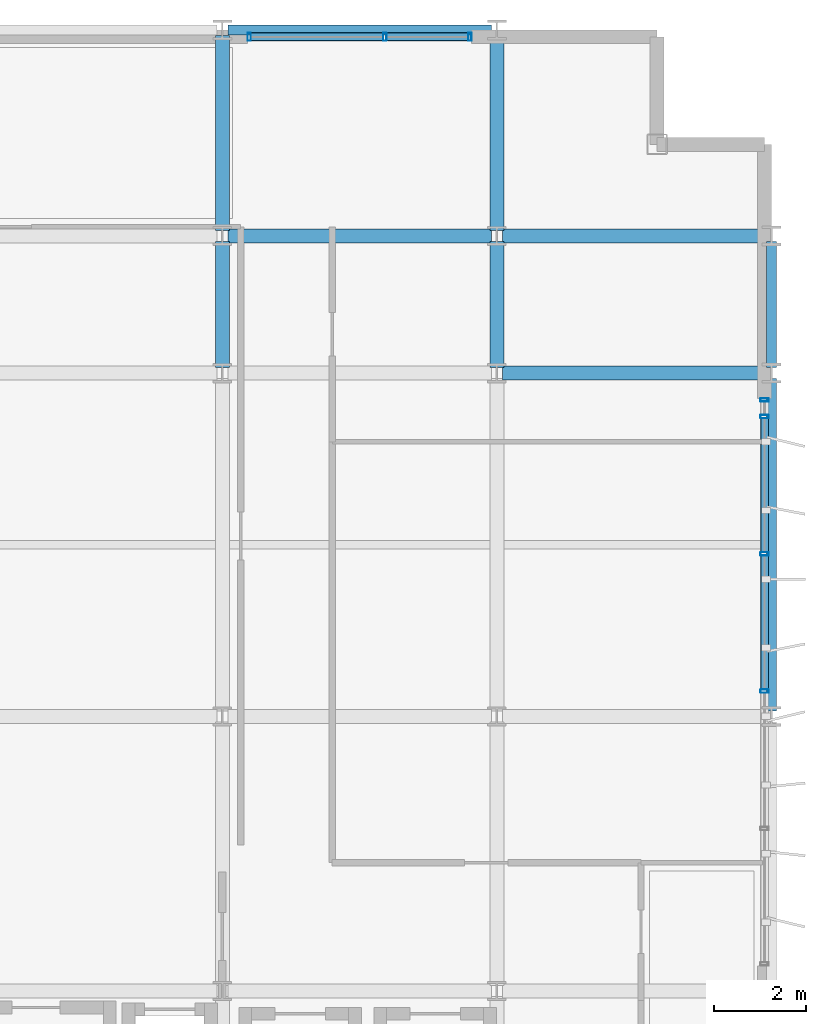
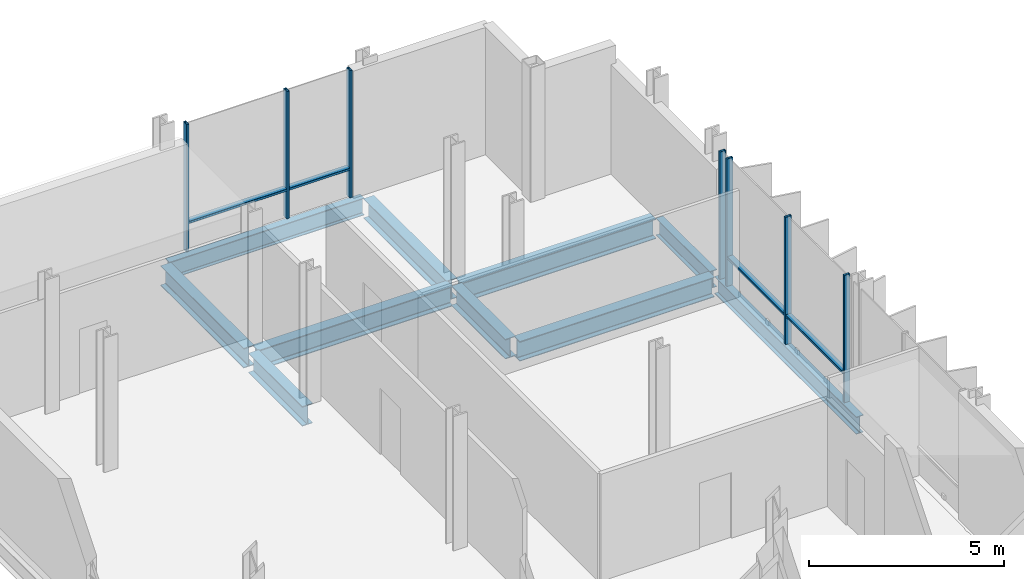
# One storey, part 19 of 32: 11 members, 10 beams, 2 elements without a shape of their own.
"""IFC4 building model written with IfcOpenShell, lengths in metres."""

from ifc_helpers import new_model, si_unit, direction, frame, origin, origin_2d, place, context, subcontext, project, spatial, hollow_rectangle, i_section, extrude, material, layer, layer_set, material_profile, profile_set, type_object, element, aggregate, save


model = new_model("IFC4")

# Units and contexts
model_context = context("Model", 3, precision=1e-05, world=origin(), true_north=direction((0.0, 1.0)))
body_context = subcontext(model_context, "Body", "Model", "MODEL_VIEW")
ifc_project = project(units=[si_unit("LENGTHUNIT", "METRE"), si_unit("AREAUNIT", "SQUARE_METRE"), si_unit("VOLUMEUNIT", "CUBIC_METRE"), si_unit("PLANEANGLEUNIT", "RADIAN"), si_unit("MASSUNIT", "GRAM", prefix="KILO")], contexts=[model_context])

# Site, building, storey
site_placement = place(None, origin())
site = spatial("IfcSite", under=ifc_project, at=site_placement, CompositionType="ELEMENT")
building_placement = place(site_placement, origin())
building = spatial("IfcBuilding", under=site, at=building_placement, Name="Brevholm Reach", CompositionType="ELEMENT")
storey_placement = place(building_placement, frame((0.0, 0.0, 134.5)))
storey = spatial("IfcBuildingStorey", under=building, at=storey_placement, Name="L40", CompositionType="ELEMENT", Elevation=134.5)

# Beams
ifc_material_1 = material(Name="Structural Steel S355J2", Category="steel")
ifc_material_profile_1 = material_profile(ifc_material_1, i_section(OverallWidth=0.210693359375, OverallDepth=0.53955078125, WebThickness=0.01171875, FlangeThickness=0.018798828125, FilletRadius=0.0126953125, at=origin_2d()), Name="UKB 533x210x109")
ifc_profile_set_1 = profile_set([ifc_material_profile_1], Name="Structural Steel S355J2")
beam_type_1 = type_object("IfcBeamType", Name="BM-SP539", PredefinedType="SPANDREL", material=ifc_profile_set_1)
beam_1_placement = place(storey_placement, frame((48.1201171875, 31.0, -0.519775390625), z_axis=(1.0, 0.0, 0.0), x_axis=(0.0, 1.0, 0.0)))
element("IfcBeam", 1, at=beam_1_placement, inside=storey, type_object=beam_type_1, Name="L40 SP-01B Framing Beam", PredefinedType="SPANDREL", context=body_context, shape_type="SweptSolid", body=[
    extrude(i_section(OverallWidth=0.210693359375, OverallDepth=0.53955078125, WebThickness=0.01171875, FlangeThickness=0.018798828125, FilletRadius=0.0126953125, at=origin_2d()), origin(), (0.0, 0.0, 1.0), 5.759765625),
])
beam_2_placement = place(storey_placement, frame((60.0, 16.1201171875, -0.519775390625), z_axis=(0.0, 1.0, 0.0), x_axis=(-1.0, 0.0, 0.0)))
element("IfcBeam", 2, at=beam_2_placement, inside=storey, type_object=beam_type_1, Name="L40 SP-01B Framing Beam", PredefinedType="SPANDREL", context=body_context, shape_type="SweptSolid", body=[
    extrude(i_section(OverallWidth=0.210693359375, OverallDepth=0.53955078125, WebThickness=0.01171875, FlangeThickness=0.018798828125, FilletRadius=0.0126953125, at=origin_2d()), origin(), (0.0, 0.0, 1.0), 7.259765625),
])
beam_3_placement = place(storey_placement, frame((60.0, 23.6201171875, -0.519775390625), z_axis=(0.0, 1.0, 0.0), x_axis=(-1.0, 0.0, 0.0)))
element("IfcBeam", 3, at=beam_3_placement, inside=storey, type_object=beam_type_1, Name="L40 SP-01B Framing Beam", PredefinedType="SPANDREL", context=body_context, shape_type="SweptSolid", body=[
    extrude(i_section(OverallWidth=0.210693359375, OverallDepth=0.53955078125, WebThickness=0.01171875, FlangeThickness=0.018798828125, FilletRadius=0.0126953125, at=origin_2d()), origin(), (0.0, 0.0, 1.0), 2.759765625),
])
ifc_material_2 = material(Name="Structural Steel S355J2", Category="steel")
ifc_material_profile_2 = material_profile(ifc_material_2, i_section(OverallWidth=0.30712890625, OverallDepth=0.6201171875, WebThickness=0.01416015625, FlangeThickness=0.023681640625, FilletRadius=0.0166015625, at=origin_2d()), Name="UKB 610x305x179")
ifc_profile_set_2 = profile_set([ifc_material_profile_2], Name="Structural Steel S355J2")
beam_type_2 = type_object("IfcBeamType", Name="BM-UKB610H", PredefinedType="USERDEFINED", material=ifc_profile_set_2)
for number, where, z_axis, x_axis, name in (
    (4, (54.1201171875, 23.5, -0.56005859375), (1.0, 0.0, 0.0), (0.0, 1.0, 0.0), "L40 G-06 Framing Beam"),
    (5, (48.1201171875, 26.5, -0.56005859375), (1.0, 0.0, 0.0), (0.0, 1.0, 0.0), "L40 G-06 Framing Beam"),
    (6, (54.1201171875, 26.5, -0.56005859375), (1.0, 0.0, 0.0), (0.0, 1.0, 0.0), "L40 G-06 Framing Beam"),
):
    element("IfcBeam", number, at=place(storey_placement, frame(where, z_axis=z_axis, x_axis=x_axis)), inside=storey, type_object=beam_type_2, Name=name, ObjectType="GIRDER", PredefinedType="USERDEFINED", context=body_context, shape_type="SweptSolid", body=[
        extrude(i_section(OverallWidth=0.30712890625, OverallDepth=0.6201171875, WebThickness=0.01416015625, FlangeThickness=0.023681640625, FilletRadius=0.0166015625, at=origin_2d()), origin(), (0.0, 0.0, 1.0), 5.759765625),
    ])
beam_4_placement = place(storey_placement, frame((48.0, 23.6201171875, -0.56005859375), z_axis=(0.0, 1.0, 0.0), x_axis=(-1.0, 0.0, 0.0)))
element("IfcBeam", 7, at=beam_4_placement, inside=storey, type_object=beam_type_2, Name="L40 G-06 Framing Beam", ObjectType="GIRDER", PredefinedType="USERDEFINED", context=body_context, shape_type="SweptSolid", body=[
    extrude(i_section(OverallWidth=0.30712890625, OverallDepth=0.6201171875, WebThickness=0.01416015625, FlangeThickness=0.023681640625, FilletRadius=0.0166015625, at=origin_2d()), origin(), (0.0, 0.0, 1.0), 2.759765625),
])
beam_5_placement = place(storey_placement, frame((48.0, 26.6201171875, -0.56005859375), z_axis=(0.0, 1.0, 0.0), x_axis=(-1.0, 0.0, 0.0)))
element("IfcBeam", 8, at=beam_5_placement, inside=storey, type_object=beam_type_2, Name="L40 G-06 Framing Beam", ObjectType="GIRDER", PredefinedType="USERDEFINED", context=body_context, shape_type="SweptSolid", body=[
    extrude(i_section(OverallWidth=0.30712890625, OverallDepth=0.6201171875, WebThickness=0.01416015625, FlangeThickness=0.023681640625, FilletRadius=0.0166015625, at=origin_2d()), origin(), (0.0, 0.0, 1.0), 4.259765625),
])
beam_6_placement = place(storey_placement, frame((54.0, 23.6201171875, -0.56005859375), z_axis=(0.0, 1.0, 0.0), x_axis=(-1.0, 0.0, 0.0)))
element("IfcBeam", 9, at=beam_6_placement, inside=storey, type_object=beam_type_2, Name="L40 G-06 Framing Beam", ObjectType="GIRDER", PredefinedType="USERDEFINED", context=body_context, shape_type="SweptSolid", body=[
    extrude(i_section(OverallWidth=0.30712890625, OverallDepth=0.6201171875, WebThickness=0.01416015625, FlangeThickness=0.023681640625, FilletRadius=0.0166015625, at=origin_2d()), origin(), (0.0, 0.0, 1.0), 2.759765625),
])
beam_7_placement = place(storey_placement, frame((54.0, 26.6201171875, -0.56005859375), z_axis=(0.0, 1.0, 0.0), x_axis=(-1.0, 0.0, 0.0)))
element("IfcBeam", 10, at=beam_7_placement, inside=storey, type_object=beam_type_2, Name="L40 G-06 Framing Beam", ObjectType="GIRDER", PredefinedType="USERDEFINED", context=body_context, shape_type="SweptSolid", body=[
    extrude(i_section(OverallWidth=0.30712890625, OverallDepth=0.6201171875, WebThickness=0.01416015625, FlangeThickness=0.023681640625, FilletRadius=0.0166015625, at=origin_2d()), origin(), (0.0, 0.0, 1.0), 4.259765625),
])

# Curtain wall, members
ifc_material_3 = material(Name="Dark Anodised Aluminium 6063-T6 and Solar-Control Glass", Category="aluminium")
ifc_layer = layer(ifc_material_3, 0.179931640625)
ifc_layer_set = layer_set([ifc_layer], Name="Dark Anodised Aluminium 6063-T6 and Solar-Control Glass")
curtain_wall_type = type_object("IfcCurtainWallType", Name="CW-05", PredefinedType="NOTDEFINED", material=ifc_layer_set)
curtain_wall_1_placement = place(storey_placement, origin())
curtain_wall_1 = element("IfcCurtainWall", 11, at=curtain_wall_1_placement, inside=storey, type_object=curtain_wall_type, Name="L40 Curtain Wall CW-05", PredefinedType="NOTDEFINED")
ifc_material_4 = material(Name="Dark Anodised Aluminium 6063-T6", Category="aluminium")
ifc_material_profile_3 = material_profile(ifc_material_4, hollow_rectangle(XDim=0.074951171875, YDim=0.179931640625, WallThickness=0.006103515625, InnerFilletRadius=0.006103515625, OuterFilletRadius=0.011962890625, at=origin_2d()), Name="RHS 180x75x6")
ifc_profile_set_3 = profile_set([ifc_material_profile_3], Name="Dark Anodised Aluminium 6063-T6")
member_type_1 = type_object("IfcMemberType", Name="CWM-180", PredefinedType="MULLION", material=ifc_profile_set_3)
member_1_placement = place(storey_placement, frame((59.85009765625, 16.550048828125, 0.0), z_axis=(0.0, 0.0, 1.0), x_axis=(0.0, 1.0, 0.0)))
member_1 = element("IfcMember", 12, at=member_1_placement, type_object=member_type_1, Name="CM-180 Mullion 3", PredefinedType="MULLION", context=body_context, shape_type="SweptSolid", body=[
    extrude(hollow_rectangle(XDim=0.074951171875, YDim=0.179931640625, WallThickness=0.006103515625, InnerFilletRadius=0.006103515625, OuterFilletRadius=0.011962890625, at=origin_2d()), origin(), (0.0, 0.0, 1.0), 3.97998046875),
])
member_2_placement = place(storey_placement, frame((59.85009765625, 19.550048828125, 0.0), z_axis=(0.0, 0.0, 1.0), x_axis=(0.0, 1.0, 0.0)))
member_2 = element("IfcMember", 13, at=member_2_placement, type_object=member_type_1, Name="CM-180 Mullion 4", PredefinedType="MULLION", context=body_context, shape_type="SweptSolid", body=[
    extrude(hollow_rectangle(XDim=0.074951171875, YDim=0.179931640625, WallThickness=0.006103515625, InnerFilletRadius=0.006103515625, OuterFilletRadius=0.011962890625, at=origin_2d()), origin(), (0.0, 0.0, 1.0), 3.97998046875),
])
member_3_placement = place(storey_placement, frame((59.85009765625, 22.550048828125, 0.0), z_axis=(0.0, 0.0, 1.0), x_axis=(0.0, 1.0, 0.0)))
member_3 = element("IfcMember", 14, at=member_3_placement, type_object=member_type_1, Name="CM-180 Mullion 5", PredefinedType="MULLION", context=body_context, shape_type="SweptSolid", body=[
    extrude(hollow_rectangle(XDim=0.074951171875, YDim=0.179931640625, WallThickness=0.006103515625, InnerFilletRadius=0.006103515625, OuterFilletRadius=0.011962890625, at=origin_2d()), origin(), (0.0, 0.0, 1.0), 3.97998046875),
])
member_4_placement = place(storey_placement, frame((59.85009765625, 22.91259765625, 0.0), z_axis=(0.0, 0.0, 1.0), x_axis=(0.0, 1.0, 0.0)))
member_4 = element("IfcMember", 15, at=member_4_placement, type_object=member_type_1, Name="CM-180 Mullion 6", PredefinedType="MULLION", context=body_context, shape_type="SweptSolid", body=[
    extrude(hollow_rectangle(XDim=0.074951171875, YDim=0.179931640625, WallThickness=0.006103515625, InnerFilletRadius=0.006103515625, OuterFilletRadius=0.011962890625, at=origin_2d()), origin(), (0.0, 0.0, 1.0), 3.97998046875),
])

curtain_wall_2_placement = place(storey_placement, origin())
curtain_wall_2 = element("IfcCurtainWall", 16, at=curtain_wall_2_placement, inside=storey, type_object=curtain_wall_type, Name="L40 Curtain Wall CW-05", PredefinedType="NOTDEFINED")
member_5_placement = place(storey_placement, frame((48.58740234375, 30.85009765625, 0.0), z_axis=(0.0, 0.0, 1.0), x_axis=(1.0, 0.0, 0.0)))
member_5 = element("IfcMember", 17, at=member_5_placement, type_object=member_type_1, Name="CM-180 Mullion 1", PredefinedType="MULLION", context=body_context, shape_type="SweptSolid", body=[
    extrude(hollow_rectangle(XDim=0.074951171875, YDim=0.179931640625, WallThickness=0.006103515625, InnerFilletRadius=0.006103515625, OuterFilletRadius=0.011962890625, at=origin_2d()), origin(), (0.0, 0.0, 1.0), 3.97998046875),
])
member_6_placement = place(storey_placement, frame((51.550048828125, 30.85009765625, 0.0), z_axis=(0.0, 0.0, 1.0), x_axis=(1.0, 0.0, 0.0)))
member_6 = element("IfcMember", 18, at=member_6_placement, type_object=member_type_1, Name="CM-180 Mullion 2", PredefinedType="MULLION", context=body_context, shape_type="SweptSolid", body=[
    extrude(hollow_rectangle(XDim=0.074951171875, YDim=0.179931640625, WallThickness=0.006103515625, InnerFilletRadius=0.006103515625, OuterFilletRadius=0.011962890625, at=origin_2d()), origin(), (0.0, 0.0, 1.0), 3.97998046875),
])
member_7_placement = place(storey_placement, frame((53.41259765625, 30.85009765625, 0.0), z_axis=(0.0, 0.0, 1.0), x_axis=(1.0, 0.0, 0.0)))
member_7 = element("IfcMember", 19, at=member_7_placement, type_object=member_type_1, Name="CM-180 Mullion 3", PredefinedType="MULLION", context=body_context, shape_type="SweptSolid", body=[
    extrude(hollow_rectangle(XDim=0.074951171875, YDim=0.179931640625, WallThickness=0.006103515625, InnerFilletRadius=0.006103515625, OuterFilletRadius=0.011962890625, at=origin_2d()), origin(), (0.0, 0.0, 1.0), 3.97998046875),
])

# Member
ifc_material_5 = material(Name="Dark Anodised Aluminium 6063-T6", Category="aluminium")
ifc_material_profile_4 = material_profile(ifc_material_5, hollow_rectangle(XDim=0.074951171875, YDim=0.179931640625, WallThickness=0.006103515625, InnerFilletRadius=0.006103515625, OuterFilletRadius=0.011962890625, at=origin_2d()), Name="RHS 180x75x6")
ifc_profile_set_4 = profile_set([ifc_material_profile_4], Name="Dark Anodised Aluminium 6063-T6")
member_type_2 = type_object("IfcMemberType", Name="CWT-180", PredefinedType="NOTDEFINED", material=ifc_profile_set_4)
member_8_placement = place(storey_placement, frame((59.85009765625, 16.58740234375, 0.89990234375), z_axis=(0.0, 1.0, 0.0), x_axis=(0.0, 0.0, 1.0)))
member_8 = element("IfcMember", 20, at=member_8_placement, type_object=member_type_2, Name="CT-180 Transom 3.1", ObjectType="TRANSOM", PredefinedType="USERDEFINED", context=body_context, shape_type="SweptSolid", body=[
    extrude(hollow_rectangle(XDim=0.074951171875, YDim=0.179931640625, WallThickness=0.006103515625, InnerFilletRadius=0.006103515625, OuterFilletRadius=0.011962890625, at=origin_2d()), origin(), (0.0, 0.0, 1.0), 2.925048828125),
])

member_9_placement = place(storey_placement, frame((59.85009765625, 19.58740234375, 0.89990234375), z_axis=(0.0, 1.0, 0.0), x_axis=(0.0, 0.0, 1.0)))
member_9 = element("IfcMember", 21, at=member_9_placement, type_object=member_type_2, Name="CT-180 Transom 4.1", ObjectType="TRANSOM", PredefinedType="USERDEFINED", context=body_context, shape_type="SweptSolid", body=[
    extrude(hollow_rectangle(XDim=0.074951171875, YDim=0.179931640625, WallThickness=0.006103515625, InnerFilletRadius=0.006103515625, OuterFilletRadius=0.011962890625, at=origin_2d()), origin(), (0.0, 0.0, 1.0), 2.925048828125),
])

aggregate(curtain_wall_1, [member_1, member_2, member_3, member_4, member_8, member_9])

member_10_placement = place(storey_placement, frame((48.625, 30.85009765625, 0.89990234375), z_axis=(1.0, 0.0, 0.0), x_axis=(0.0, 0.0, 1.0)))
member_10 = element("IfcMember", 22, at=member_10_placement, type_object=member_type_2, Name="CT-180 Transom 1.1", ObjectType="TRANSOM", PredefinedType="USERDEFINED", context=body_context, shape_type="SweptSolid", body=[
    extrude(hollow_rectangle(XDim=0.074951171875, YDim=0.179931640625, WallThickness=0.006103515625, InnerFilletRadius=0.006103515625, OuterFilletRadius=0.011962890625, at=origin_2d()), origin(), (0.0, 0.0, 1.0), 2.887451171875),
])

member_11_placement = place(storey_placement, frame((51.58740234375, 30.85009765625, 0.89990234375), z_axis=(1.0, 0.0, 0.0), x_axis=(0.0, 0.0, 1.0)))
member_11 = element("IfcMember", 23, at=member_11_placement, type_object=member_type_2, Name="CT-180 Transom 2.1", ObjectType="TRANSOM", PredefinedType="USERDEFINED", context=body_context, shape_type="SweptSolid", body=[
    extrude(hollow_rectangle(XDim=0.074951171875, YDim=0.179931640625, WallThickness=0.006103515625, InnerFilletRadius=0.006103515625, OuterFilletRadius=0.011962890625, at=origin_2d()), origin(), (0.0, 0.0, 1.0), 1.78759765625),
])

aggregate(curtain_wall_2, [member_5, member_6, member_7, member_10, member_11])

save(model, "model.ifc")
